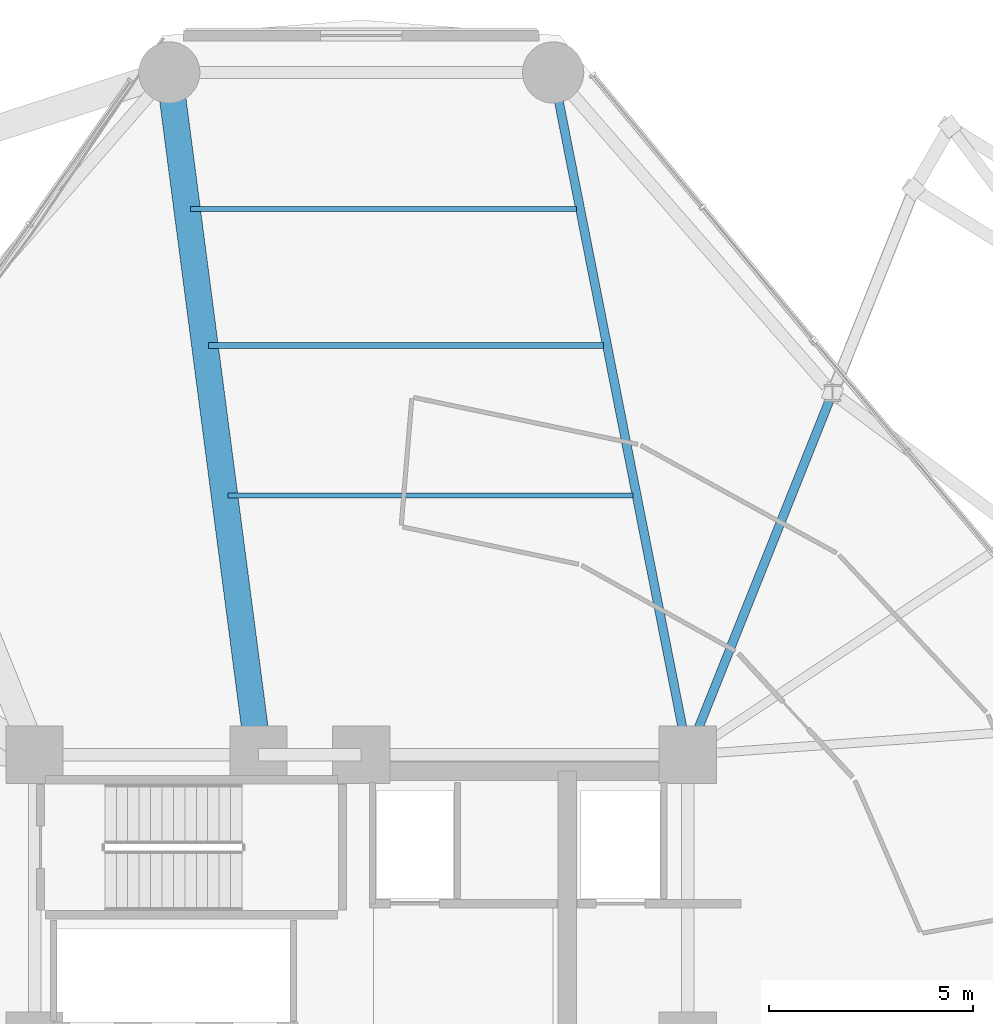
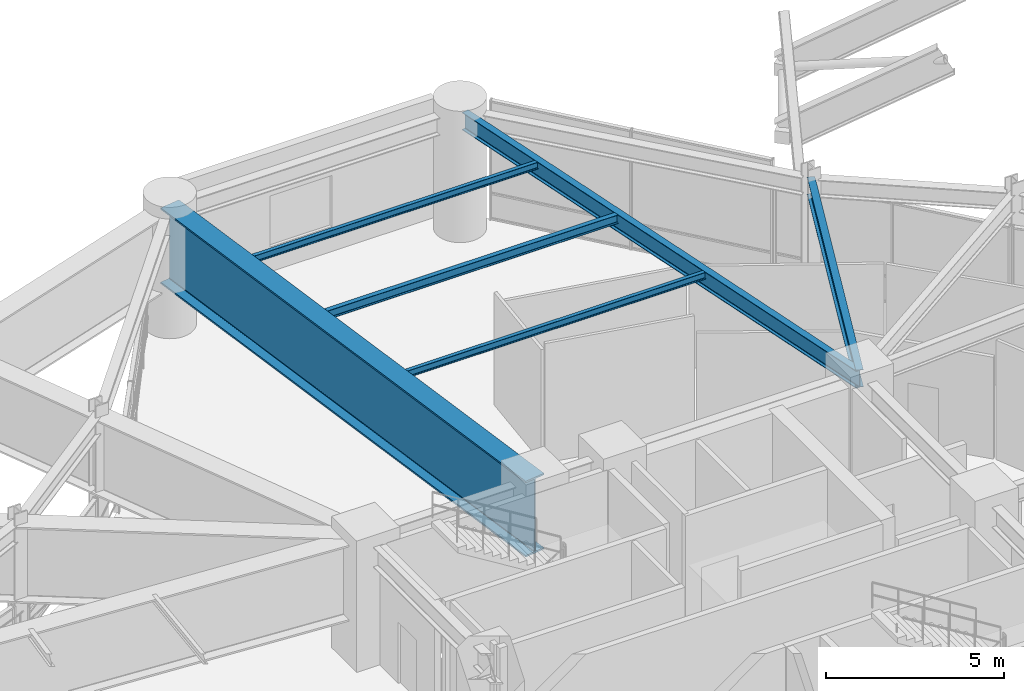
# One storey, part 34 of 53: 6 beams.
"""IFC4 building model written with IfcOpenShell, lengths in metres."""

from ifc_helpers import new_model, si_unit, direction, frame, origin, origin_2d, place, context, subcontext, project, spatial, i_section, extrude, material, material_profile, profile_set, type_object, element, save


model = new_model("IFC4")

# Units and contexts
model_context = context("Model", 3, precision=1e-05, world=origin(), true_north=direction((0.0, 1.0)))
body_context = subcontext(model_context, "Body", "Model", "MODEL_VIEW")
ifc_project = project(units=[si_unit("LENGTHUNIT", "METRE"), si_unit("AREAUNIT", "SQUARE_METRE"), si_unit("VOLUMEUNIT", "CUBIC_METRE"), si_unit("PLANEANGLEUNIT", "RADIAN"), si_unit("MASSUNIT", "GRAM", prefix="KILO")], contexts=[model_context])

# Site, building, storey
site_placement = place(None, origin())
site = spatial("IfcSite", under=ifc_project, at=site_placement, CompositionType="ELEMENT")
building_placement = place(site_placement, origin())
building = spatial("IfcBuilding", under=site, at=building_placement, Name="Kelanora Arch Commons", CompositionType="ELEMENT")
storey_placement = place(building_placement, frame((0.0, 0.0, 9.0)))
storey = spatial("IfcBuildingStorey", under=building, at=storey_placement, Name="L02", CompositionType="ELEMENT", Elevation=9.0)

# Beams
ifc_material = material(Name="Steel S355", Category="steel")
ifc_material_profile_1 = material_profile(ifc_material, i_section(OverallWidth=0.14990234375, OverallDepth=0.300048828125, WebThickness=0.007080078125, FlangeThickness=0.0107421875, FilletRadius=0.014892578125, at=origin_2d()), Name="IPE300")
ifc_profile_set_1 = profile_set([ifc_material_profile_1], Name="Steel S355")
beam_type_1 = type_object("IfcBeamType", Name="BM-JST-01", PredefinedType="JOIST", material=ifc_profile_set_1)
beam_1_placement = place(storey_placement, frame((79.936279296875, 75.028564453125, 3.949951171875), z_axis=(-1.0, 0.0, 0.0), x_axis=(0.0, -1.0, 0.0)))
element("IfcBeam", 1, at=beam_1_placement, inside=storey, type_object=beam_type_1, Name="Secondary Chord Joist BJB-08 L02", PredefinedType="JOIST", context=body_context, shape_type="SweptSolid", body=[
    extrude(i_section(OverallWidth=0.14990234375, OverallDepth=0.300048828125, WebThickness=0.007080078125, FlangeThickness=0.0107421875, FilletRadius=0.014892578125, at=origin_2d()), origin(), (0.0, 0.0, 1.0), 9.6806640625),
])
ifc_material_profile_2 = material_profile(ifc_material, i_section(OverallWidth=0.1201171875, OverallDepth=0.239990234375, WebThickness=0.006103515625, FlangeThickness=0.009765625, FilletRadius=0.014892578125, at=origin_2d()), Name="IPE240")
ifc_profile_set_2 = profile_set([ifc_material_profile_2], Name="Steel S355")
beam_type_2 = type_object("IfcBeamType", Name="BM-JST-02", PredefinedType="JOIST", material=ifc_profile_set_2)
beam_2_placement = place(storey_placement, frame((80.661865234375, 71.351318359375, 3.97998046875), z_axis=(-1.0, 0.0, 0.0), x_axis=(0.0, -1.0, 0.0)))
element("IfcBeam", 2, at=beam_2_placement, inside=storey, type_object=beam_type_2, Name="Secondary Chord Joist BJA-08 L02", PredefinedType="JOIST", context=body_context, shape_type="SweptSolid", body=[
    extrude(i_section(OverallWidth=0.1201171875, OverallDepth=0.239990234375, WebThickness=0.006103515625, FlangeThickness=0.009765625, FilletRadius=0.014892578125, at=origin_2d()), origin(), (0.0, 0.0, 1.0), 9.92626953125),
])
beam_3_placement = place(storey_placement, frame((79.27685546875, 78.371337890625, 3.97998046875), z_axis=(-1.0, 0.0, 0.0), x_axis=(0.0, -1.0, 0.0)))
element("IfcBeam", 3, at=beam_3_placement, inside=storey, type_object=beam_type_2, Name="Secondary Chord Joist BJC-08 L02", PredefinedType="JOIST", context=body_context, shape_type="SweptSolid", body=[
    extrude(i_section(OverallWidth=0.1201171875, OverallDepth=0.239990234375, WebThickness=0.006103515625, FlangeThickness=0.009765625, FilletRadius=0.014892578125, at=origin_2d()), origin(), (0.0, 0.0, 1.0), 9.457763671875),
])
ifc_material_profile_3 = material_profile(ifc_material, i_section(OverallWidth=0.219970703125, OverallDepth=0.60009765625, WebThickness=0.011962890625, FlangeThickness=0.01904296875, FilletRadius=0.02392578125, at=origin_2d()), Name="IPE600")
ifc_profile_set_3 = profile_set([ifc_material_profile_3], Name="Steel S355")
beam_type_3 = type_object("IfcBeamType", Name="BM-RAD-Z1", PredefinedType="BEAM", material=ifc_profile_set_3)
beam_4_placement = place(storey_placement, frame((82.0, 65.0, 3.800048828125), z_axis=(0.371306921468, 0.928510188458, 0.0), x_axis=(-0.928510188458, 0.371306921468, 0.0)))
element("IfcBeam", 4, at=beam_4_placement, inside=storey, type_object=beam_type_3, Name="Radial Floor Girder BR-06 L02", PredefinedType="BEAM", context=body_context, shape_type="SweptSolid", body=[
    extrude(i_section(OverallWidth=0.219970703125, OverallDepth=0.60009765625, WebThickness=0.011962890625, FlangeThickness=0.01904296875, FilletRadius=0.02392578125, at=origin_2d()), origin(), (0.0, 0.0, 1.0), 9.549072265625),
])
beam_5_placement = place(storey_placement, frame((82.0, 65.0, 3.800048828125), z_axis=(-0.193555256292, 0.981089375522, 0.0), x_axis=(-0.981089375522, -0.193555256292, 0.0)))
element("IfcBeam", 5, at=beam_5_placement, inside=storey, type_object=beam_type_3, Name="Radial Floor Girder BR-08 L02", PredefinedType="BEAM", context=body_context, shape_type="SweptSolid", body=[
    extrude(i_section(OverallWidth=0.219970703125, OverallDepth=0.60009765625, WebThickness=0.011962890625, FlangeThickness=0.01904296875, FilletRadius=0.02392578125, at=origin_2d()), origin(), (0.0, 0.0, 1.0), 16.81640625),
])
ifc_material_profile_4 = material_profile(ifc_material, i_section(OverallWidth=0.64990234375, OverallDepth=2.60009765625, WebThickness=0.034912109375, FlangeThickness=0.054931640625, FilletRadius=0.028076171875, at=origin_2d()), Name="PG2600x650")
ifc_profile_set_4 = profile_set([ifc_material_profile_4], Name="Steel S355")
beam_type_4 = type_object("IfcBeamType", Name="BM-XFER-ARCH", PredefinedType="USERDEFINED", material=ifc_profile_set_4)
beam_6_placement = place(storey_placement, frame((71.47998046875, 65.0, 2.800048828125), z_axis=(-0.129471691865, 0.991583118556, 0.0), x_axis=(-0.991583118556, -0.129471691865, 0.0)))
element("IfcBeam", 6, at=beam_6_placement, inside=storey, type_object=beam_type_4, Name="Radial Floor Girder BR-10 L02", ObjectType="TRANSFER_GIRDER", PredefinedType="USERDEFINED", context=body_context, shape_type="SweptSolid", body=[
    extrude(i_section(OverallWidth=0.64990234375, OverallDepth=2.60009765625, WebThickness=0.034912109375, FlangeThickness=0.054931640625, FilletRadius=0.028076171875, at=origin_2d()), origin(), (0.0, 0.0, 1.0), 16.85595703125),
])

save(model, "model.ifc")
